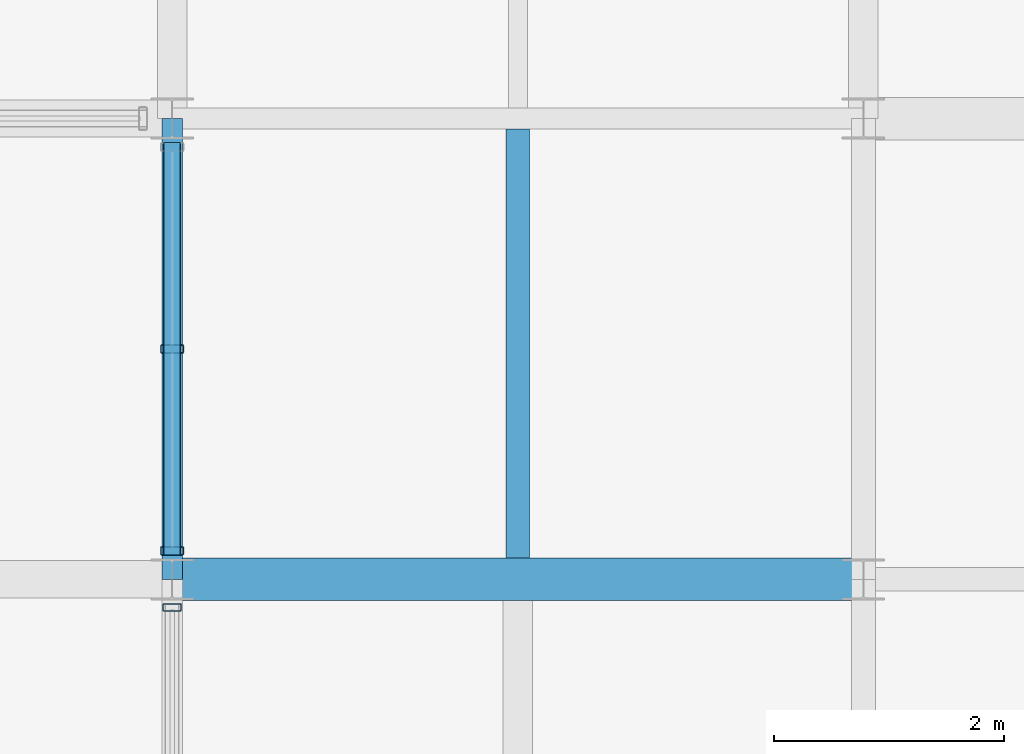
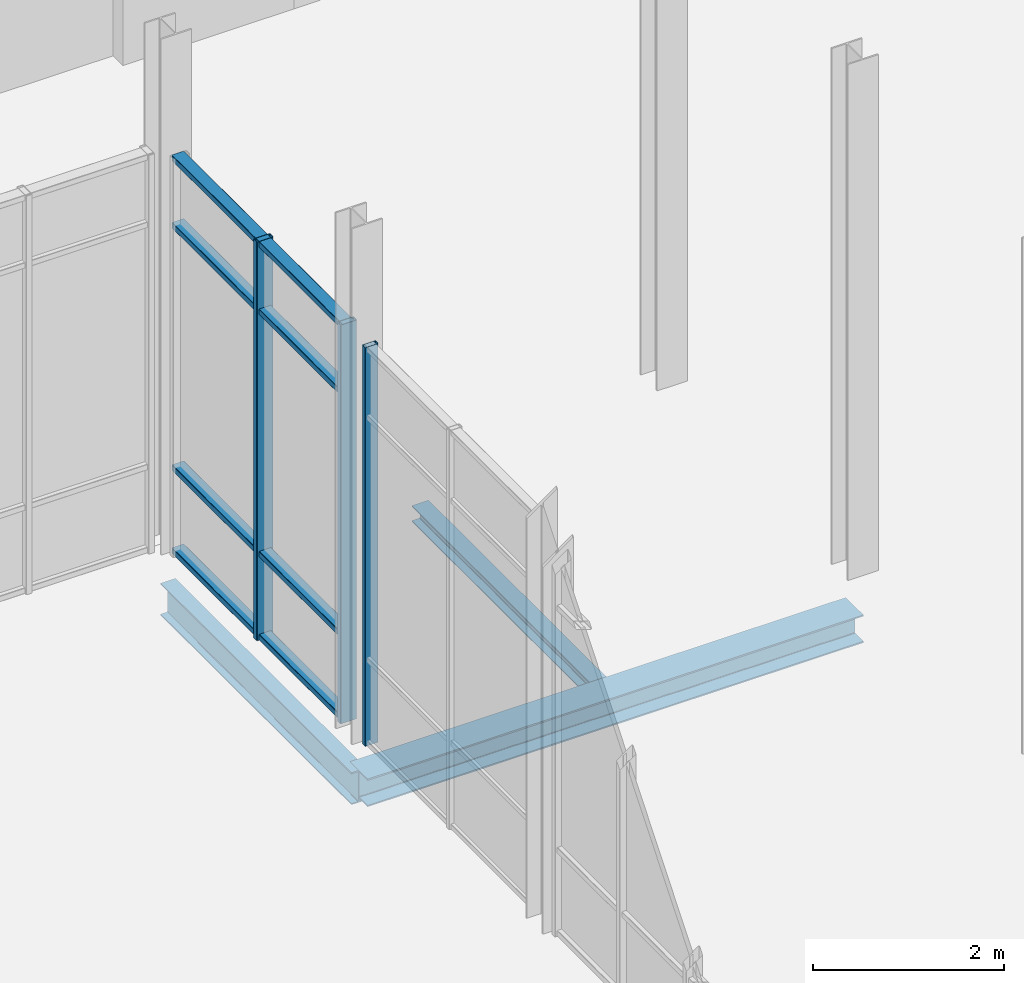
# One storey, part 86 of 140: 7 members, 3 beams, 2 elements without a shape of their own.
"""IFC4 building model written with IfcOpenShell, lengths in metres."""

from ifc_helpers import new_model, si_unit, direction, frame, origin, origin_2d, place, context, subcontext, project, spatial, hollow_rectangle, i_section, extrude, material, material_profile, profile_set, type_object, element, aggregate, save


model = new_model("IFC4")

# Units and contexts
model_context = context("Model", 3, precision=1e-05, world=origin(), true_north=direction((0.0, 1.0)))
body_context = subcontext(model_context, "Body", "Model", "MODEL_VIEW")
ifc_project = project(units=[si_unit("LENGTHUNIT", "METRE"), si_unit("AREAUNIT", "SQUARE_METRE"), si_unit("VOLUMEUNIT", "CUBIC_METRE"), si_unit("PLANEANGLEUNIT", "RADIAN"), si_unit("MASSUNIT", "GRAM", prefix="KILO")], contexts=[model_context])

# Site, building, storey
site_placement = place(None, origin())
site = spatial("IfcSite", under=ifc_project, at=site_placement, CompositionType="ELEMENT")
building_placement = place(site_placement, origin())
building = spatial("IfcBuilding", under=site, at=building_placement, Name="Verrall Gate Interchange", CompositionType="ELEMENT")
storey_placement = place(building_placement, origin())
storey = spatial("IfcBuildingStorey", under=building, at=storey_placement, Name="L01", CompositionType="ELEMENT", Elevation=0.0)

# Beams
ifc_material_1 = material(Name="Structural Steel CSA G40.21 350W", Category="steel")
ifc_material_profile_1 = material_profile(ifc_material_1, i_section(OverallWidth=0.178955078125, OverallDepth=0.409912109375, WebThickness=0.0087890625, FlangeThickness=0.014404296875, FilletRadius=0.011962890625, at=origin_2d()), Name="W410x67")
ifc_profile_set_1 = profile_set([ifc_material_profile_1], Name="Structural Steel CSA G40.21 350W")
beam_type_1 = type_object("IfcBeamType", Name="B-12 Structural Beam W410x67", PredefinedType="BEAM", material=ifc_profile_set_1)
beam_1_placement = place(storey_placement, frame((132.0, 44.0, -0.705078125), z_axis=(0.0, 1.0, 0.0), x_axis=(-1.0, 0.0, 0.0)))
element("IfcBeam", 1, at=beam_1_placement, inside=storey, type_object=beam_type_1, Name="L01 Girder BM-L01-1201 (B-12)", PredefinedType="BEAM", context=body_context, shape_type="SweptSolid", body=[
    extrude(i_section(OverallWidth=0.178955078125, OverallDepth=0.409912109375, WebThickness=0.0087890625, FlangeThickness=0.014404296875, FilletRadius=0.011962890625, at=origin_2d()), origin(), (0.0, 0.0, 1.0), 4.0),
])
ifc_material_2 = material(Name="Structural Steel CSA G40.21 350W", Category="steel")
ifc_material_profile_2 = material_profile(ifc_material_2, i_section(OverallWidth=0.368896484375, OverallDepth=0.35595703125, WebThickness=0.01123046875, FlangeThickness=0.01806640625, FilletRadius=0.014892578125, at=origin_2d()), Name="W360x134")
ifc_profile_set_2 = profile_set([ifc_material_profile_2], Name="Structural Steel CSA G40.21 350W")
beam_type_2 = type_object("IfcBeamType", Name="B-13 Structural Beam W360x134", PredefinedType="BEAM", material=ifc_profile_set_2)
beam_2_placement = place(storey_placement, frame((132.0, 44.0, -0.677978515625), z_axis=(1.0, 0.0, 0.0), x_axis=(0.0, 1.0, 0.0)))
element("IfcBeam", 2, at=beam_2_placement, inside=storey, type_object=beam_type_2, Name="L01 Girder BM-L01-0904 (B-13)", PredefinedType="BEAM", context=body_context, shape_type="SweptSolid", body=[
    extrude(i_section(OverallWidth=0.368896484375, OverallDepth=0.35595703125, WebThickness=0.01123046875, FlangeThickness=0.01806640625, FilletRadius=0.014892578125, at=origin_2d()), origin(), (0.0, 0.0, 1.0), 6.0),
])

# Curtain wall, member
ifc_material_3 = material(Name="Thermally Broken Anodized Aluminium Curtain Wall Framing", Category="aluminium")
curtain_wall_type = type_object("IfcCurtainWallType", Name="CW-05 Unitized Curtain Wall 3631x5100", PredefinedType="NOTDEFINED", material=ifc_material_3)
curtain_wall_1_placement = place(storey_placement, origin())
curtain_wall_1 = element("IfcCurtainWall", 3, at=curtain_wall_1_placement, inside=storey, type_object=curtain_wall_type, Name="L01 Unitized Curtain Wall CW-L01-046", PredefinedType="NOTDEFINED")
ifc_material_4 = material(Name="Thermally Broken Anodized Aluminium Curtain Wall Framing", Category="aluminium")
ifc_material_profile_3 = material_profile(ifc_material_4, hollow_rectangle(XDim=0.06494140625, YDim=0.159912109375, WallThickness=0.00390625, InnerFilletRadius=0.00390625, OuterFilletRadius=0.008056640625, at=origin_2d()), Name="CWM160x65x4")
ifc_profile_set_3 = profile_set([ifc_material_profile_3], Name="Thermally Broken Anodized Aluminium Curtain Wall Framing")
member_type_1 = type_object("IfcMemberType", Name="CM-01 Curtain Mullion CWM160x65x4", PredefinedType="MULLION", material=ifc_profile_set_3)
member_1_placement = place(storey_placement, frame((132.0, 43.757568359375, 0.0), z_axis=(0.0, 0.0, 1.0), x_axis=(0.0, -1.0, 0.0)))
member_1 = element("IfcMember", 4, at=member_1_placement, type_object=member_type_1, Name="CW-L01-046 Mullion 1", PredefinedType="MULLION", context=body_context, shape_type="SweptSolid", body=[
    extrude(hollow_rectangle(XDim=0.06494140625, YDim=0.159912109375, WallThickness=0.00390625, InnerFilletRadius=0.00390625, OuterFilletRadius=0.008056640625, at=origin_2d()), origin(), (0.0, 0.0, 1.0), 5.10009765625),
])
aggregate(curtain_wall_1, [member_1])

# Curtain wall, members
curtain_wall_2_placement = place(storey_placement, origin())
curtain_wall_2 = element("IfcCurtainWall", 5, at=curtain_wall_2_placement, inside=storey, type_object=curtain_wall_type, Name="L01 Unitized Curtain Wall CW-L01-045", PredefinedType="NOTDEFINED")
ifc_material_5 = material(Name="Thermally Broken Anodized Aluminium Curtain Wall Framing", Category="aluminium")
ifc_material_profile_4 = material_profile(ifc_material_5, hollow_rectangle(XDim=0.074951171875, YDim=0.199951171875, WallThickness=0.0048828125, InnerFilletRadius=0.0048828125, OuterFilletRadius=0.010009765625, at=origin_2d()), Name="CWM200x75x5")
ifc_profile_set_4 = profile_set([ifc_material_profile_4], Name="Thermally Broken Anodized Aluminium Curtain Wall Framing")
member_type_2 = type_object("IfcMemberType", Name="CM-02 Curtain Mullion CWM200x75x5", PredefinedType="MULLION", material=ifc_profile_set_4)
member_2_placement = place(storey_placement, frame((132.0, 46.0, 0.0), z_axis=(0.0, 0.0, 1.0), x_axis=(0.0, -1.0, 0.0)))
member_2 = element("IfcMember", 6, at=member_2_placement, type_object=member_type_2, Name="CW-L01-045 Mullion 2", PredefinedType="MULLION", context=body_context, shape_type="SweptSolid", body=[
    extrude(hollow_rectangle(XDim=0.074951171875, YDim=0.199951171875, WallThickness=0.0048828125, InnerFilletRadius=0.0048828125, OuterFilletRadius=0.010009765625, at=origin_2d()), origin(), (0.0, 0.0, 1.0), 5.10009765625),
])
member_3_placement = place(storey_placement, frame((132.0, 44.24755859375, 0.0), z_axis=(0.0, 0.0, 1.0), x_axis=(0.0, -1.0, 0.0)))
member_3 = element("IfcMember", 7, at=member_3_placement, type_object=member_type_2, Name="CW-L01-045 Mullion 3", PredefinedType="MULLION", context=body_context, shape_type="SweptSolid", body=[
    extrude(hollow_rectangle(XDim=0.074951171875, YDim=0.199951171875, WallThickness=0.0048828125, InnerFilletRadius=0.0048828125, OuterFilletRadius=0.010009765625, at=origin_2d()), origin(), (0.0, 0.0, 1.0), 5.10009765625),
])
ifc_material_6 = material(Name="Thermally Broken Anodized Aluminium Curtain Wall Framing", Category="aluminium")
ifc_material_profile_5 = material_profile(ifc_material_6, hollow_rectangle(XDim=0.14990234375, YDim=0.074951171875, WallThickness=0.00439453125, InnerFilletRadius=0.00439453125, OuterFilletRadius=0.009033203125, at=origin_2d()), Name="CWT150x75x4.5")
ifc_profile_set_5 = profile_set([ifc_material_profile_5], Name="Thermally Broken Anodized Aluminium Curtain Wall Framing")
member_type_3 = type_object("IfcMemberType", Name="CT-02 Curtain Transom CWT150x75x4.5", PredefinedType="USERDEFINED", material=ifc_profile_set_5)
member_4_placement = place(storey_placement, frame((132.0, 47.7900390625, 0.03759765625), z_axis=(0.0, -1.0, 0.0), x_axis=(1.0, 0.0, 0.0)))
member_4 = element("IfcMember", 8, at=member_4_placement, type_object=member_type_3, Name="CW-L01-045 Transom 1", ObjectType="TRANSOM", PredefinedType="USERDEFINED", context=body_context, shape_type="SweptSolid", body=[
    extrude(hollow_rectangle(XDim=0.14990234375, YDim=0.074951171875, WallThickness=0.00439453125, InnerFilletRadius=0.00439453125, OuterFilletRadius=0.009033203125, at=origin_2d()), origin(), (0.0, 0.0, 1.0), 3.580078125),
])
member_5_placement = place(storey_placement, frame((132.0, 47.7900390625, 1.10009765625), z_axis=(0.0, -1.0, 0.0), x_axis=(1.0, 0.0, 0.0)))
member_5 = element("IfcMember", 9, at=member_5_placement, type_object=member_type_3, Name="CW-L01-045 Transom 2", ObjectType="TRANSOM", PredefinedType="USERDEFINED", context=body_context, shape_type="SweptSolid", body=[
    extrude(hollow_rectangle(XDim=0.14990234375, YDim=0.074951171875, WallThickness=0.00439453125, InnerFilletRadius=0.00439453125, OuterFilletRadius=0.009033203125, at=origin_2d()), origin(), (0.0, 0.0, 1.0), 3.580078125),
])
member_6_placement = place(storey_placement, frame((132.0, 47.7900390625, 4.199951171875), z_axis=(0.0, -1.0, 0.0), x_axis=(1.0, 0.0, 0.0)))
member_6 = element("IfcMember", 10, at=member_6_placement, type_object=member_type_3, Name="CW-L01-045 Transom 3", ObjectType="TRANSOM", PredefinedType="USERDEFINED", context=body_context, shape_type="SweptSolid", body=[
    extrude(hollow_rectangle(XDim=0.14990234375, YDim=0.074951171875, WallThickness=0.00439453125, InnerFilletRadius=0.00439453125, OuterFilletRadius=0.009033203125, at=origin_2d()), origin(), (0.0, 0.0, 1.0), 3.580078125),
])
member_7_placement = place(storey_placement, frame((132.0, 47.7900390625, 5.0625), z_axis=(0.0, -1.0, 0.0), x_axis=(1.0, 0.0, 0.0)))
member_7 = element("IfcMember", 11, at=member_7_placement, type_object=member_type_3, Name="CW-L01-045 Transom 4", ObjectType="TRANSOM", PredefinedType="USERDEFINED", context=body_context, shape_type="SweptSolid", body=[
    extrude(hollow_rectangle(XDim=0.14990234375, YDim=0.074951171875, WallThickness=0.00439453125, InnerFilletRadius=0.00439453125, OuterFilletRadius=0.009033203125, at=origin_2d()), origin(), (0.0, 0.0, 1.0), 3.580078125),
])
aggregate(curtain_wall_2, [member_2, member_3, member_4, member_5, member_6, member_7])

# Beam
ifc_material_7 = material(Name="Structural Steel CSA G40.21 350W", Category="steel")
ifc_material_profile_6 = material_profile(ifc_material_7, i_section(OverallWidth=0.202880859375, OverallDepth=0.202880859375, WebThickness=0.007080078125, FlangeThickness=0.010986328125, FilletRadius=0.010009765625, at=origin_2d()), Name="W200x46")
ifc_profile_set_6 = profile_set([ifc_material_profile_6], Name="Structural Steel CSA G40.21 350W")
beam_type_3 = type_object("IfcBeamType", Name="J-07 Floor Joist W200x46", PredefinedType="JOIST", material=ifc_profile_set_6)
beam_3_placement = place(storey_placement, frame((135.0, 44.1845703125, -0.6015625), z_axis=(0.0, 1.0, 0.0), x_axis=(-1.0, 0.0, 0.0)))
element("IfcBeam", 12, at=beam_3_placement, inside=storey, type_object=beam_type_3, Name="L01 Secondary Floor Joist JST-L01-1394", PredefinedType="JOIST", context=body_context, shape_type="SweptSolid", body=[
    extrude(i_section(OverallWidth=0.202880859375, OverallDepth=0.202880859375, WebThickness=0.007080078125, FlangeThickness=0.010986328125, FilletRadius=0.010009765625, at=origin_2d()), origin(), (0.0, 0.0, 1.0), 3.725830078125),
])

save(model, "model.ifc")
